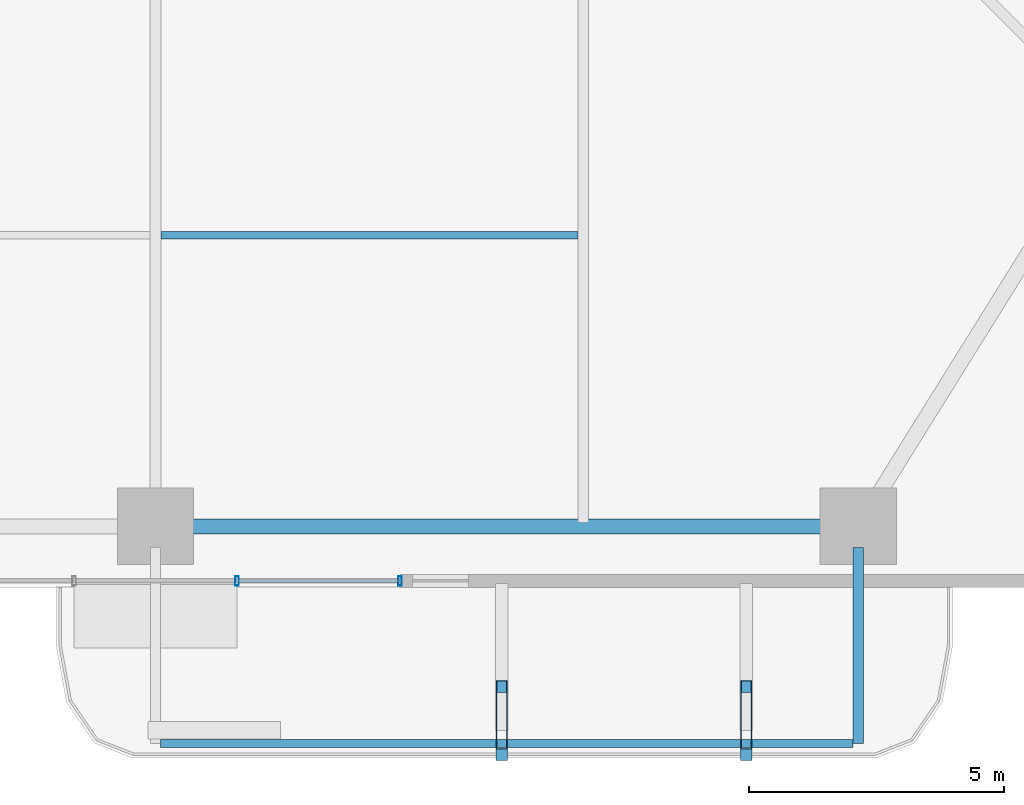
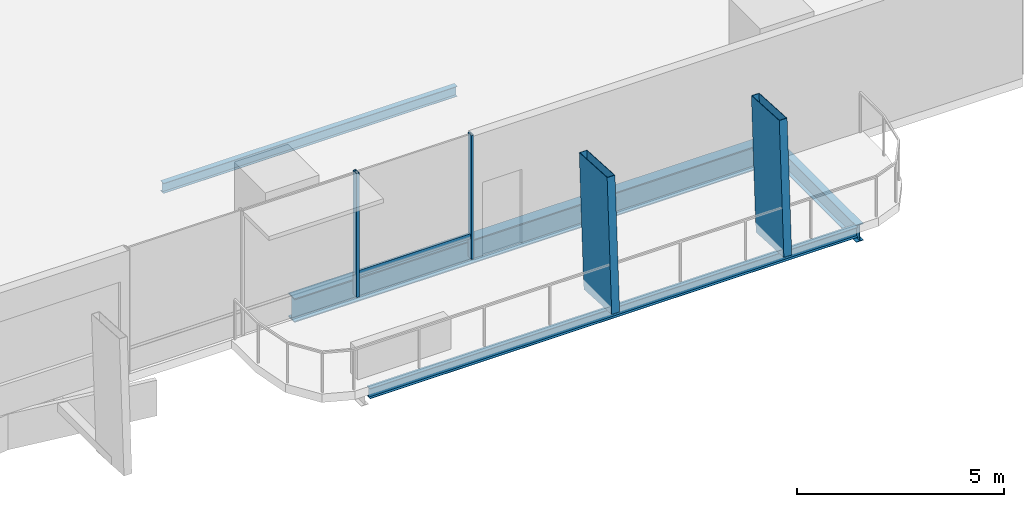
# One storey, part 6 of 24: 5 members, 4 beams, 1 element without a shape of its own.
"""IFC4 building model written with IfcOpenShell, lengths in metres."""

from ifc_helpers import new_model, si_unit, direction, frame, origin, origin_2d, place, context, subcontext, project, spatial, hollow_rectangle, i_section, extrude, material, layer, layer_set, material_profile, profile_set, type_object, element, aggregate, save


model = new_model("IFC4")

# Units and contexts
model_context = context("Model", 3, precision=1e-05, world=origin(), true_north=direction((0.0, 1.0)))
body_context = subcontext(model_context, "Body", "Model", "MODEL_VIEW")
ifc_project = project(units=[si_unit("LENGTHUNIT", "METRE"), si_unit("AREAUNIT", "SQUARE_METRE"), si_unit("VOLUMEUNIT", "CUBIC_METRE"), si_unit("PLANEANGLEUNIT", "RADIAN"), si_unit("MASSUNIT", "GRAM", prefix="KILO")], contexts=[model_context])

# Site, building, storey
site_placement = place(None, origin())
site = spatial("IfcSite", under=ifc_project, at=site_placement, CompositionType="ELEMENT")
building_placement = place(site_placement, origin())
building = spatial("IfcBuilding", under=site, at=building_placement, Name="Belovzor Exchange Tower", CompositionType="ELEMENT")
storey_placement = place(building_placement, frame((0.0, 0.0, 45.60009765625)))
storey = spatial("IfcBuildingStorey", under=building, at=storey_placement, Name="L10", CompositionType="ELEMENT", Elevation=45.60009765625)

# Members
ifc_material_1 = material(Name="Extruded Architectural Terracotta on Steel S355 Carrier", Category="masonry")
ifc_material_profile_1 = material_profile(ifc_material_1, hollow_rectangle(XDim=0.219970703125, YDim=1.35009765625, WallThickness=0.013916015625, at=origin_2d()))
ifc_profile_set_1 = profile_set([ifc_material_profile_1], Name="Extruded Architectural Terracotta on Steel S355 Carrier")
member_type_1 = type_object("IfcMemberType", Name="Base Arc Sweeping Terracotta Pylon Fin 1450", PredefinedType="USERDEFINED", material=ifc_profile_set_1)
for number, where, z_axis, x_axis, name in (
    (1, (35.60009765625, -1.821044921875, -0.25), (0.0, 0.057124545683, 0.998367059894), (-1.0, 0.0, 0.0), "FIN-TC145 Terracotta Facade Fin L10 S3"),
    (2, (40.39990234375, -1.821044921875, -0.25), (0.0, 0.057124545683, 0.998367059894), (-1.0, 0.0, 0.0), "FIN-TC145 Terracotta Facade Fin L10 S4"),
):
    element("IfcMember", number, at=place(storey_placement, frame(where, z_axis=z_axis, x_axis=x_axis)), inside=storey, type_object=member_type_1, Name=name, ObjectType="FIN", PredefinedType="USERDEFINED", context=body_context, shape_type="SweptSolid", body=[
        extrude(hollow_rectangle(XDim=0.219970703125, YDim=1.35009765625, WallThickness=0.013916015625, at=origin_2d()), origin(), (0.0, 0.0, 1.0), 3.90625),
    ])

# Beams
ifc_material_2 = material(Name="Steel S355", Category="steel")
ifc_material_profile_2 = material_profile(ifc_material_2, i_section(OverallWidth=0.199951171875, OverallDepth=0.5, WebThickness=0.01025390625, FlangeThickness=0.01611328125, at=origin_2d()))
ifc_profile_set_2 = profile_set([ifc_material_profile_2], Name="Steel S355")
beam_type_1 = type_object("IfcBeamType", Name="Planted Balcony Cantilever Beam IPE 500", PredefinedType="BEAM", material=ifc_profile_set_2)
beam_1_placement = place(storey_placement, frame((42.60009765625, 1.68798828125, -0.5), z_axis=(0.0, -1.0, 0.0), x_axis=(1.0, 0.0, 0.0)))
element("IfcBeam", 3, at=beam_1_placement, inside=storey, type_object=beam_type_1, Name="BC-500 Planted Balcony Cantilever Beam IPE 500", PredefinedType="BEAM", context=body_context, shape_type="SweptSolid", body=[
    extrude(i_section(OverallWidth=0.199951171875, OverallDepth=0.5, WebThickness=0.01025390625, FlangeThickness=0.01611328125, at=origin_2d()), origin(), (0.0, 0.0, 1.0), 3.85009765625),
])
ifc_material_3 = material(Name="Steel S355", Category="steel")
ifc_material_profile_3 = material_profile(ifc_material_3, i_section(OverallWidth=0.14990234375, OverallDepth=0.300048828125, WebThickness=0.007080078125, FlangeThickness=0.0107421875, at=origin_2d()))
ifc_profile_set_3 = profile_set([ifc_material_profile_3], Name="Steel S355")
beam_type_2 = type_object("IfcBeamType", Name="Planted Balcony Fascia Edge Beam IPE 300", PredefinedType="BEAM", material=ifc_profile_set_3)
beam_2_placement = place(storey_placement, frame((28.89990234375, -2.162109375, -0.400146484375), z_axis=(1.0, 0.0, 0.0), x_axis=(0.0, 1.0, 0.0)))
element("IfcBeam", 4, at=beam_2_placement, inside=storey, type_object=beam_type_2, Name="BC-300 Planted Balcony Fascia Edge Beam IPE 300", PredefinedType="BEAM", context=body_context, shape_type="SweptSolid", body=[
    extrude(i_section(OverallWidth=0.14990234375, OverallDepth=0.300048828125, WebThickness=0.007080078125, FlangeThickness=0.0107421875, at=origin_2d()), origin(), (0.0, 0.0, 1.0), 13.60009765625),
])
ifc_material_4 = material(Name="Steel S355", Category="steel")
ifc_material_profile_4 = material_profile(ifc_material_4, i_section(OverallWidth=0.14990234375, OverallDepth=0.300048828125, WebThickness=0.007080078125, FlangeThickness=0.0107421875, at=origin_2d()))
ifc_profile_set_4 = profile_set([ifc_material_profile_4], Name="Steel S355")
beam_type_3 = type_object("IfcBeamType", Name="Secondary Trim Floor Joist IPE 300", PredefinedType="BEAM", material=ifc_profile_set_4)
beam_3_placement = place(storey_placement, frame((28.905029296875, 7.81494140625, -0.400146484375), z_axis=(1.0, 0.0, 0.0), x_axis=(0.0, 1.0, 0.0)))
element("IfcBeam", 5, at=beam_3_placement, inside=storey, type_object=beam_type_3, Name="FJ-300 Secondary Trim Floor Joist IPE 300", PredefinedType="BEAM", context=body_context, shape_type="SweptSolid", body=[
    extrude(i_section(OverallWidth=0.14990234375, OverallDepth=0.300048828125, WebThickness=0.007080078125, FlangeThickness=0.0107421875, at=origin_2d()), origin(), (0.0, 0.0, 1.0), 8.18994140625),
])

# Curtain wall, members
ifc_material_5 = material(Name="Anodised Aluminium Framing", Category="aluminium")
ifc_layer = layer(ifc_material_5, 0.179931640625)
ifc_layer_set = layer_set([ifc_layer], Name="Anodised Aluminium Framing")
curtain_wall_type = type_object("IfcCurtainWallType", Name="Recessed Loggia Low-Iron Triple-Glazed Curtain Wall", PredefinedType="NOTDEFINED", material=ifc_layer_set)
curtain_wall_placement = place(storey_placement, origin())
curtain_wall = element("IfcCurtainWall", 6, at=curtain_wall_placement, inside=storey, type_object=curtain_wall_type, Name="CW3 Recessed Loggia Low-Iron Triple-Glazed Curtain Wall L10", PredefinedType="NOTDEFINED")
ifc_material_6 = material(Name="Steel S355", Category="steel")
ifc_material_profile_5 = material_profile(ifc_material_6, hollow_rectangle(XDim=0.074951171875, YDim=0.179931640625, WallThickness=0.0048828125, at=origin_2d()))
ifc_profile_set_5 = profile_set([ifc_material_profile_5], Name="Steel S355")
member_type_2 = type_object("IfcMemberType", Name="Thermally Broken Curtain Wall Mullion 180x75", PredefinedType="MULLION", material=ifc_profile_set_5)
member_1_placement = place(storey_placement, frame((33.60009765625, 1.030029296875, 0.0), z_axis=(0.0, 0.0, 1.0), x_axis=(-1.0, 0.0, 0.0)))
member_1 = element("IfcMember", 7, at=member_1_placement, type_object=member_type_2, Name="CW-M180 Curtain Wall Mullion 1", PredefinedType="MULLION", context=body_context, shape_type="SweptSolid", body=[
    extrude(hollow_rectangle(XDim=0.074951171875, YDim=0.179931640625, WallThickness=0.0048828125, at=origin_2d()), origin(), (0.0, 0.0, 1.0), 3.64990234375),
])
member_2_placement = place(storey_placement, frame((30.39990234375, 1.030029296875, 0.0), z_axis=(0.0, 0.0, 1.0), x_axis=(-1.0, 0.0, 0.0)))
member_2 = element("IfcMember", 8, at=member_2_placement, type_object=member_type_2, Name="CW-M180 Curtain Wall Mullion 2", PredefinedType="MULLION", context=body_context, shape_type="SweptSolid", body=[
    extrude(hollow_rectangle(XDim=0.074951171875, YDim=0.179931640625, WallThickness=0.0048828125, at=origin_2d()), origin(), (0.0, 0.0, 1.0), 3.64990234375),
])
ifc_material_7 = material(Name="Steel S355", Category="steel")
ifc_material_profile_6 = material_profile(ifc_material_7, hollow_rectangle(XDim=0.06005859375, YDim=0.14990234375, WallThickness=0.00390625, at=origin_2d()))
ifc_profile_set_6 = profile_set([ifc_material_profile_6], Name="Steel S355")
member_type_3 = type_object("IfcMemberType", Name="Thermally Broken Curtain Wall Transom 150x60", PredefinedType="USERDEFINED", material=ifc_profile_set_6)
member_3_placement = place(storey_placement, frame((33.592041015625, 1.030029296875, 0.64990234375), z_axis=(-1.0, 0.0, 0.0), x_axis=(0.0, -1.0, 0.0)))
member_3 = element("IfcMember", 9, at=member_3_placement, type_object=member_type_3, Name="CW-T150 Curtain Wall Transom 1", ObjectType="TRANSOM", PredefinedType="USERDEFINED", context=body_context, shape_type="SweptSolid", body=[
    extrude(hollow_rectangle(XDim=0.06005859375, YDim=0.14990234375, WallThickness=0.00390625, at=origin_2d()), origin(), (0.0, 0.0, 1.0), 3.18408203125),
])
aggregate(curtain_wall, [member_1, member_2, member_3])

# Beam
ifc_material_8 = material(Name="Steel S355", Category="steel")
ifc_material_profile_7 = material_profile(ifc_material_8, i_section(OverallWidth=0.300048828125, OverallDepth=0.699951171875, WebThickness=0.01708984375, FlangeThickness=0.031982421875, at=origin_2d()))
ifc_profile_set_7 = profile_set([ifc_material_profile_7], Name="Steel S355")
beam_type_4 = type_object("IfcBeamType", Name="Zone 1 Primary Perimeter Girder HEB 700", PredefinedType="BEAM", material=ifc_profile_set_7)
beam_4_placement = place(storey_placement, frame((29.212890625, 2.10009765625, -0.60009765625), z_axis=(1.0, 0.0, 0.0), x_axis=(0.0, 1.0, 0.0)))
element("IfcBeam", 10, at=beam_4_placement, inside=storey, type_object=beam_type_4, Name="FG-Z1 Zone 1 Primary Perimeter Girder HEB 700", PredefinedType="BEAM", context=body_context, shape_type="SweptSolid", body=[
    extrude(i_section(OverallWidth=0.300048828125, OverallDepth=0.699951171875, WebThickness=0.01708984375, FlangeThickness=0.031982421875, at=origin_2d()), origin(), (0.0, 0.0, 1.0), 12.97509765625),
])

save(model, "model.ifc")
